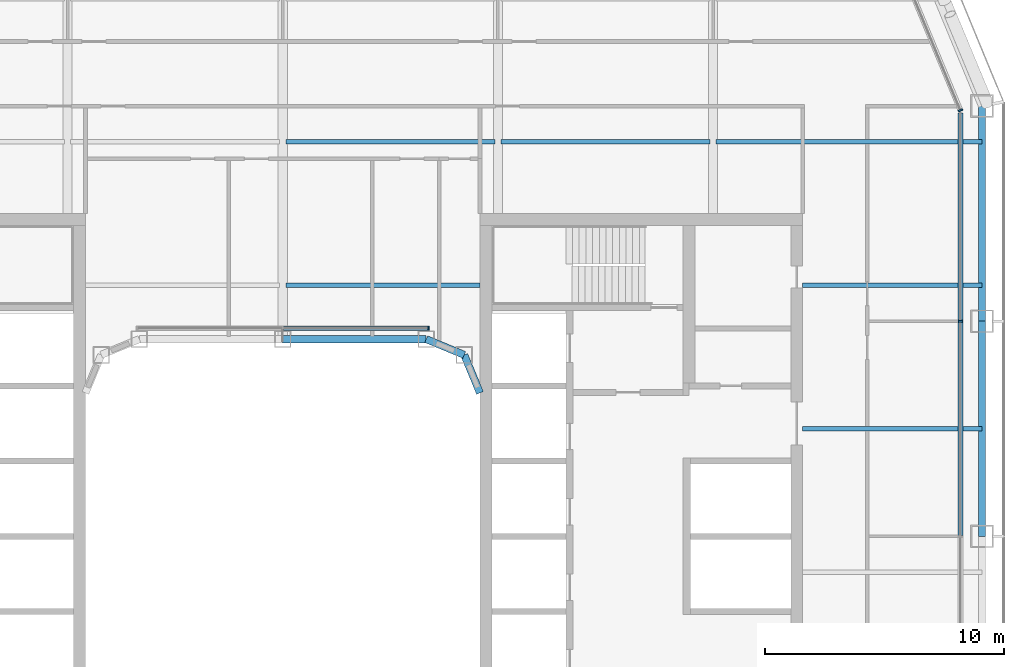
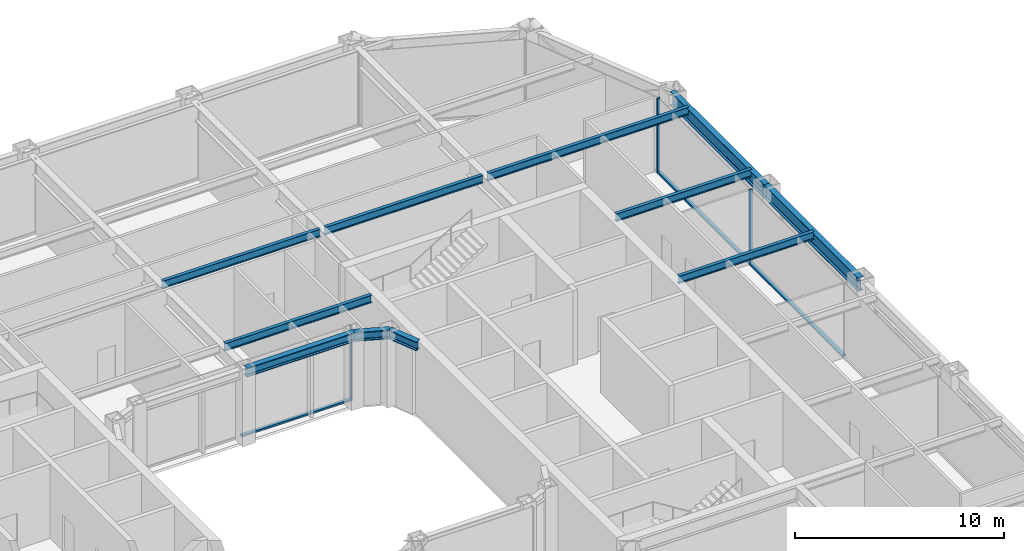
# One storey, part 8 of 23: 11 beams, 6 members, 3 elements without a shape of their own.
"""IFC4 building model written with IfcOpenShell, lengths in metres."""

from ifc_helpers import new_model, si_unit, direction, frame, origin, origin_2d, place, context, subcontext, project, spatial, rectangle, i_section, extrude, material, layer, layer_set, material_profile, profile_set, type_object, element, aggregate, save


model = new_model("IFC4")

# Units and contexts
model_context = context("Model", 3, precision=1e-05, world=origin(), true_north=direction((0.0, 1.0)))
body_context = subcontext(model_context, "Body", "Model", "MODEL_VIEW")
ifc_project = project(units=[si_unit("LENGTHUNIT", "METRE"), si_unit("AREAUNIT", "SQUARE_METRE"), si_unit("VOLUMEUNIT", "CUBIC_METRE"), si_unit("PLANEANGLEUNIT", "RADIAN"), si_unit("MASSUNIT", "GRAM", prefix="KILO")], contexts=[model_context])

# Site, building, storey
site_placement = place(None, origin())
site = spatial("IfcSite", under=ifc_project, at=site_placement, CompositionType="ELEMENT")
building_placement = place(site_placement, origin())
building = spatial("IfcBuilding", under=site, at=building_placement, Name="Siwar Civic Tower", CompositionType="ELEMENT")
storey_placement = place(building_placement, frame((0.0, 0.0, 118.199951171875)))
storey = spatial("IfcBuildingStorey", under=building, at=storey_placement, Name="L25", CompositionType="ELEMENT", Elevation=118.199951171875)

# Curtain wall, member
ifc_material_1 = material(Name="Aluminium and glass", Category="aluminium")
ifc_layer_1 = layer(ifc_material_1, 0.199951171875)
ifc_layer_set_1 = layer_set([ifc_layer_1], Name="Aluminium and glass")
curtain_wall_type_1 = type_object("IfcCurtainWallType", Name="ENV-CW-B", PredefinedType="NOTDEFINED", material=ifc_layer_set_1)
curtain_wall_1_placement = place(storey_placement, origin())
curtain_wall_1 = element("IfcCurtainWall", 1, at=curtain_wall_1_placement, inside=storey, type_object=curtain_wall_type_1, Name="Curtain wall B E", PredefinedType="NOTDEFINED")
ifc_material_2 = material(Name="Aluminium 6063-T6", Category="aluminium")
ifc_material_profile_1 = material_profile(ifc_material_2, rectangle(XDim=0.199951171875, YDim=0.06494140625, at=origin_2d()), Name="AL 200x65")
ifc_profile_set_1 = profile_set([ifc_material_profile_1], Name="Aluminium 6063-T6")
member_type_1 = type_object("IfcMemberType", Name="ENV-MULLION-B", PredefinedType="MULLION", material=ifc_profile_set_1)
member_1_placement = place(storey_placement, frame((28.35009765625, 9.0, 0.0), z_axis=(0.0, 0.0, 1.0), x_axis=(-1.0, 0.0, 0.0)))
member_1 = element("IfcMember", 2, at=member_1_placement, type_object=member_type_1, Name="Mullion B E 4", PredefinedType="MULLION", context=body_context, shape_type="SweptSolid", body=[
    extrude(rectangle(XDim=0.199951171875, YDim=0.06494140625, at=origin_2d()), origin(), (0.0, 0.0, 1.0), 4.35009765625),
])

ifc_material_3 = material(Name="Aluminium clad insulated panel", Category="aluminium")
ifc_layer_2 = layer(ifc_material_3, 0.199951171875)
ifc_layer_set_2 = layer_set([ifc_layer_2], Name="Aluminium clad insulated panel")
curtain_wall_type_2 = type_object("IfcCurtainWallType", Name="ENV-CW-BX", PredefinedType="NOTDEFINED", material=ifc_layer_set_2)
curtain_wall_2_placement = place(storey_placement, origin())
curtain_wall_2 = element("IfcCurtainWall", 3, at=curtain_wall_2_placement, inside=storey, type_object=curtain_wall_type_2, Name="Curtain wall B NE1", PredefinedType="NOTDEFINED")
member_2_placement = place(storey_placement, frame((28.35009765625, 17.821044921875, 0.0), z_axis=(0.0, 0.0, 1.0), x_axis=(-0.923879532511, -0.382683432365, 0.0)))
member_2 = element("IfcMember", 4, at=member_2_placement, type_object=member_type_1, Name="Mullion B NE1 1", PredefinedType="MULLION", context=body_context, shape_type="SweptSolid", body=[
    extrude(rectangle(XDim=0.199951171875, YDim=0.06494140625, at=origin_2d()), origin(), (0.0, 0.0, 1.0), 4.35009765625),
])
aggregate(curtain_wall_2, [member_2])

ifc_material_4 = material(Name="Aluminium and glass", Category="aluminium")
ifc_layer_3 = layer(ifc_material_4, 0.179931640625)
ifc_layer_set_3 = layer_set([ifc_layer_3], Name="Aluminium and glass")
curtain_wall_type_3 = type_object("IfcCurtainWallType", Name="ENV-CW-W", PredefinedType="NOTDEFINED", material=ifc_layer_set_3)
curtain_wall_3_placement = place(storey_placement, origin())
curtain_wall_3 = element("IfcCurtainWall", 5, at=curtain_wall_3_placement, inside=storey, type_object=curtain_wall_type_3, Name="Curtain wall W WN", PredefinedType="NOTDEFINED")
ifc_material_5 = material(Name="Aluminium 6063-T6", Category="aluminium")
ifc_material_profile_2 = material_profile(ifc_material_5, rectangle(XDim=0.179931640625, YDim=0.06005859375, at=origin_2d()), Name="AL 180x60")
ifc_profile_set_2 = profile_set([ifc_material_profile_2], Name="Aluminium 6063-T6")
member_type_2 = type_object("IfcMemberType", Name="ENV-MULLION-W", PredefinedType="MULLION", material=ifc_profile_set_2)
member_3_placement = place(storey_placement, frame((6.091552734375, 8.7099609375, 0.0), z_axis=(0.0, 0.0, 1.0), x_axis=(0.0, -1.0, 0.0)))
member_3 = element("IfcMember", 6, at=member_3_placement, type_object=member_type_2, Name="Mullion W WN 1", PredefinedType="MULLION", context=body_context, shape_type="SweptSolid", body=[
    extrude(rectangle(XDim=0.179931640625, YDim=0.06005859375, at=origin_2d()), origin(), (0.0, 0.0, 1.0), 4.35009765625),
])

# Member
ifc_material_6 = material(Name="Aluminium 6063-T6", Category="aluminium")
ifc_material_profile_3 = material_profile(ifc_material_6, rectangle(XDim=0.199951171875, YDim=0.110107421875, at=origin_2d()), Name="AL 200x110")
ifc_profile_set_3 = profile_set([ifc_material_profile_3], Name="Aluminium 6063-T6")
member_type_3 = type_object("IfcMemberType", Name="ENV-TRANSOM-B", PredefinedType="USERDEFINED", material=ifc_profile_set_3)
member_4_placement = place(storey_placement, frame((28.35009765625, 0.032470703125, 0.054931640625), z_axis=(0.0, 1.0, 0.0), x_axis=(-1.0, 0.0, 0.0)))
member_4 = element("IfcMember", 7, at=member_4_placement, type_object=member_type_3, Name="Transom B E 3", ObjectType="TRANSOM", PredefinedType="USERDEFINED", context=body_context, shape_type="SweptSolid", body=[
    extrude(rectangle(XDim=0.199951171875, YDim=0.110107421875, at=origin_2d()), origin(), (0.0, 0.0, 1.0), 8.93505859375),
])

member_5_placement = place(storey_placement, frame((28.35009765625, 9.032470703125, 0.054931640625), z_axis=(0.0, 1.0, 0.0), x_axis=(-1.0, 0.0, 0.0)))
member_5 = element("IfcMember", 8, at=member_5_placement, type_object=member_type_3, Name="Transom B E 4", ObjectType="TRANSOM", PredefinedType="USERDEFINED", context=body_context, shape_type="SweptSolid", body=[
    extrude(rectangle(XDim=0.199951171875, YDim=0.110107421875, at=origin_2d()), origin(), (0.0, 0.0, 1.0), 8.6748046875),
])

aggregate(curtain_wall_1, [member_1, member_4, member_5])

ifc_material_7 = material(Name="Aluminium 6063-T6", Category="aluminium")
ifc_material_profile_4 = material_profile(ifc_material_7, rectangle(XDim=0.179931640625, YDim=0.10009765625, at=origin_2d()), Name="AL 180x100")
ifc_profile_set_4 = profile_set([ifc_material_profile_4], Name="Aluminium 6063-T6")
member_type_4 = type_object("IfcMemberType", Name="ENV-TRANSOM-W", PredefinedType="USERDEFINED", material=ifc_profile_set_4)
member_6_placement = place(storey_placement, frame((6.0615234375, 8.7099609375, 0.050048828125), z_axis=(-1.0, 0.0, 0.0), x_axis=(0.0, -1.0, 0.0)))
member_6 = element("IfcMember", 9, at=member_6_placement, type_object=member_type_4, Name="Transom W WN 1", ObjectType="TRANSOM", PredefinedType="USERDEFINED", context=body_context, shape_type="SweptSolid", body=[
    extrude(rectangle(XDim=0.179931640625, YDim=0.10009765625, at=origin_2d()), origin(), (0.0, 0.0, 1.0), 6.031494140625),
])

aggregate(curtain_wall_3, [member_3, member_6])

# Beams
ifc_material_8 = material(Name="Steel S355", Category="steel")
ifc_material_profile_5 = material_profile(ifc_material_8, i_section(OverallWidth=0.18994140625, OverallDepth=0.449951171875, WebThickness=0.009521484375, FlangeThickness=0.0146484375, FilletRadius=0.02099609375, at=origin_2d()), Name="IPE450")
ifc_profile_set_5 = profile_set([ifc_material_profile_5], Name="Steel S355")
beam_type_1 = type_object("IfcBeamType", Name="STR-FB-IPE450", PredefinedType="JOIST", material=ifc_profile_set_5)
beam_1_placement = place(storey_placement, frame((21.75, 4.5, 4.125), z_axis=(1.0, 0.0, 0.0), x_axis=(0.0, 1.0, 0.0)))
element("IfcBeam", 10, at=beam_1_placement, inside=storey, type_object=beam_type_1, Name="L25/bm/F026", PredefinedType="JOIST", context=body_context, shape_type="SweptSolid", body=[
    extrude(i_section(OverallWidth=0.18994140625, OverallDepth=0.449951171875, WebThickness=0.009521484375, FlangeThickness=0.0146484375, FilletRadius=0.02099609375, at=origin_2d()), origin(), (0.0, 0.0, 1.0), 7.5),
])
beam_2_placement = place(storey_placement, frame((0.1298828125, 10.5, 4.125), z_axis=(1.0, 0.0, 0.0), x_axis=(0.0, 1.0, 0.0)))
element("IfcBeam", 11, at=beam_2_placement, inside=storey, type_object=beam_type_1, Name="L25/bm/F029", PredefinedType="JOIST", context=body_context, shape_type="SweptSolid", body=[
    extrude(i_section(OverallWidth=0.18994140625, OverallDepth=0.449951171875, WebThickness=0.009521484375, FlangeThickness=0.0146484375, FilletRadius=0.02099609375, at=origin_2d()), origin(), (0.0, 0.0, 1.0), 8.1201171875),
])
beam_3_placement = place(storey_placement, frame((21.75, 10.5, 4.125), z_axis=(1.0, 0.0, 0.0), x_axis=(0.0, 1.0, 0.0)))
element("IfcBeam", 12, at=beam_3_placement, inside=storey, type_object=beam_type_1, Name="L25/bm/F030", PredefinedType="JOIST", context=body_context, shape_type="SweptSolid", body=[
    extrude(i_section(OverallWidth=0.18994140625, OverallDepth=0.449951171875, WebThickness=0.009521484375, FlangeThickness=0.0146484375, FilletRadius=0.02099609375, at=origin_2d()), origin(), (0.0, 0.0, 1.0), 7.5),
])
for number, where, z_axis, x_axis, name in (
    (13, (0.1298828125, 16.5, 4.125), (1.0, 0.0, 0.0), (0.0, 1.0, 0.0), "L25/bm/F034"),
    (14, (9.1298828125, 16.5, 4.125), (1.0, 0.0, 0.0), (0.0, 1.0, 0.0), "L25/bm/F035"),
):
    element("IfcBeam", number, at=place(storey_placement, frame(where, z_axis=z_axis, x_axis=x_axis)), inside=storey, type_object=beam_type_1, Name=name, PredefinedType="JOIST", context=body_context, shape_type="SweptSolid", body=[
        extrude(i_section(OverallWidth=0.18994140625, OverallDepth=0.449951171875, WebThickness=0.009521484375, FlangeThickness=0.0146484375, FilletRadius=0.02099609375, at=origin_2d()), origin(), (0.0, 0.0, 1.0), 8.740234375),
    ])
beam_4_placement = place(storey_placement, frame((18.1298828125, 16.5, 4.125), z_axis=(1.0, 0.0, 0.0), x_axis=(0.0, 1.0, 0.0)))
element("IfcBeam", 15, at=beam_4_placement, inside=storey, type_object=beam_type_1, Name="L25/bm/F036", PredefinedType="JOIST", context=body_context, shape_type="SweptSolid", body=[
    extrude(i_section(OverallWidth=0.18994140625, OverallDepth=0.449951171875, WebThickness=0.009521484375, FlangeThickness=0.0146484375, FilletRadius=0.02099609375, at=origin_2d()), origin(), (0.0, 0.0, 1.0), 11.1201171875),
])
ifc_material_9 = material(Name="Steel S355", Category="steel")
ifc_material_profile_6 = material_profile(ifc_material_9, i_section(OverallWidth=0.305908203125, OverallDepth=0.52392578125, WebThickness=0.02099609375, FlangeThickness=0.0400390625, FilletRadius=0.027099609375, at=origin_2d()), Name="HEM500")
ifc_profile_set_6 = profile_set([ifc_material_profile_6], Name="Steel S355")
beam_type_2 = type_object("IfcBeamType", Name="STR-RB-HEM500", PredefinedType="BEAM", material=ifc_profile_set_6)
beam_5_placement = place(storey_placement, frame((0.0, 8.25, 4.088134765625), z_axis=(1.0, 0.0, 0.0), x_axis=(0.0, 1.0, 0.0)))
element("IfcBeam", 16, at=beam_5_placement, inside=storey, type_object=beam_type_2, Name="L25/bm/RN2", PredefinedType="BEAM", context=body_context, shape_type="SweptSolid", body=[
    extrude(i_section(OverallWidth=0.305908203125, OverallDepth=0.52392578125, WebThickness=0.02099609375, FlangeThickness=0.0400390625, FilletRadius=0.027099609375, at=origin_2d()), origin(), (0.0, 0.0, 1.0), 6.0),
])
for number, where, z_axis, x_axis, name in (
    (17, (6.0, 8.25, 4.088134765625), (0.923901072997, -0.382631424892, 0.0), (0.382631424892, 0.923901072997, 0.0), "L25/bm/RN3"),
    (18, (7.591064453125, 7.591064453125, 4.088134765625), (0.382631424892, -0.923901072997, 0.0), (0.923901072997, 0.382631424892, 0.0), "L25/bm/RNEE"),
):
    element("IfcBeam", number, at=place(storey_placement, frame(where, z_axis=z_axis, x_axis=x_axis)), inside=storey, type_object=beam_type_2, Name=name, PredefinedType="BEAM", context=body_context, shape_type="SweptSolid", body=[
        extrude(i_section(OverallWidth=0.305908203125, OverallDepth=0.52392578125, WebThickness=0.02099609375, FlangeThickness=0.0400390625, FilletRadius=0.027099609375, at=origin_2d()), origin(), (0.0, 0.0, 1.0), 1.72216796875),
    ])
ifc_material_10 = material(Name="Steel S355", Category="steel")
ifc_material_profile_7 = material_profile(ifc_material_10, i_section(OverallWidth=0.300048828125, OverallDepth=0.800048828125, WebThickness=0.017578125, FlangeThickness=0.032958984375, FilletRadius=0.030029296875, at=origin_2d()), Name="HEB800")
ifc_profile_set_7 = profile_set([ifc_material_profile_7], Name="Steel S355")
beam_type_3 = type_object("IfcBeamType", Name="STR-SB-HEB800", PredefinedType="BEAM", material=ifc_profile_set_7)
for number, where, z_axis, x_axis, name in (
    (19, (29.25, 0.0, 3.949951171875), (0.0, 1.0, 0.0), (-1.0, 0.0, 0.0), "L25/bm/SE-2"),
    (20, (29.25, 9.0, 3.949951171875), (0.0, 1.0, 0.0), (-1.0, 0.0, 0.0), "L25/bm/SE-3"),
):
    element("IfcBeam", number, at=place(storey_placement, frame(where, z_axis=z_axis, x_axis=x_axis)), inside=storey, type_object=beam_type_3, Name=name, PredefinedType="BEAM", context=body_context, shape_type="SweptSolid", body=[
        extrude(i_section(OverallWidth=0.300048828125, OverallDepth=0.800048828125, WebThickness=0.017578125, FlangeThickness=0.032958984375, FilletRadius=0.030029296875, at=origin_2d()), origin(), (0.0, 0.0, 1.0), 9.0),
    ])

save(model, "model.ifc")
